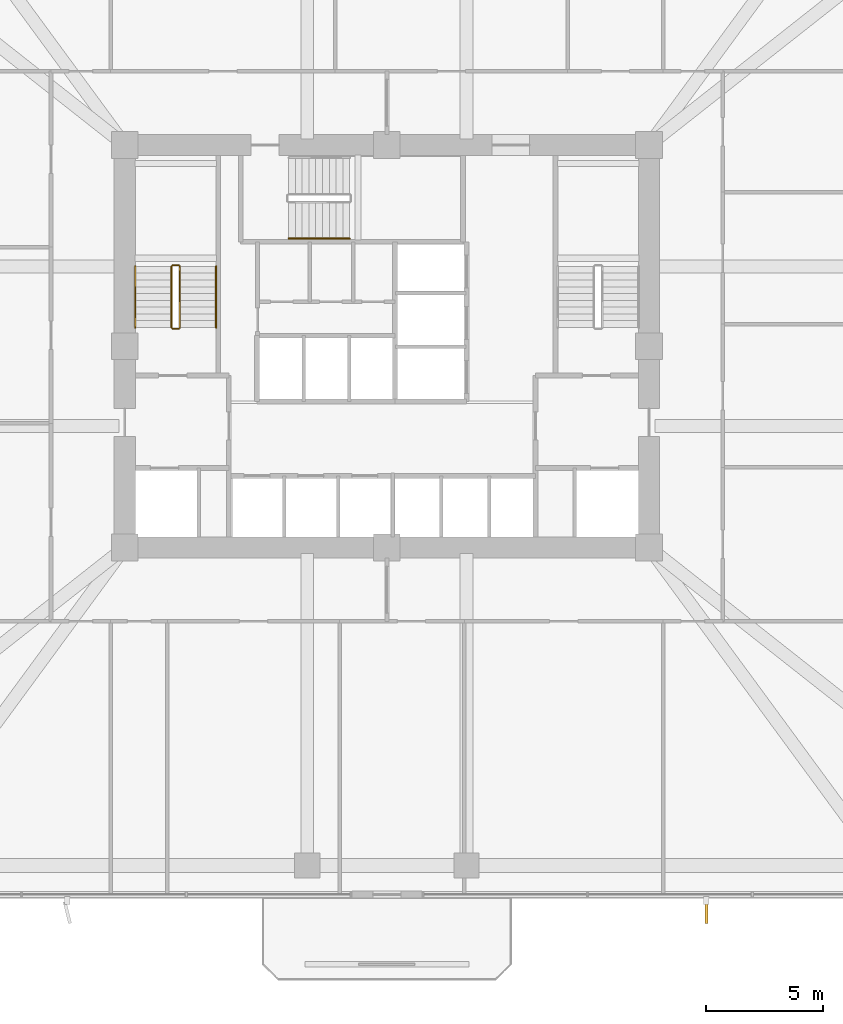
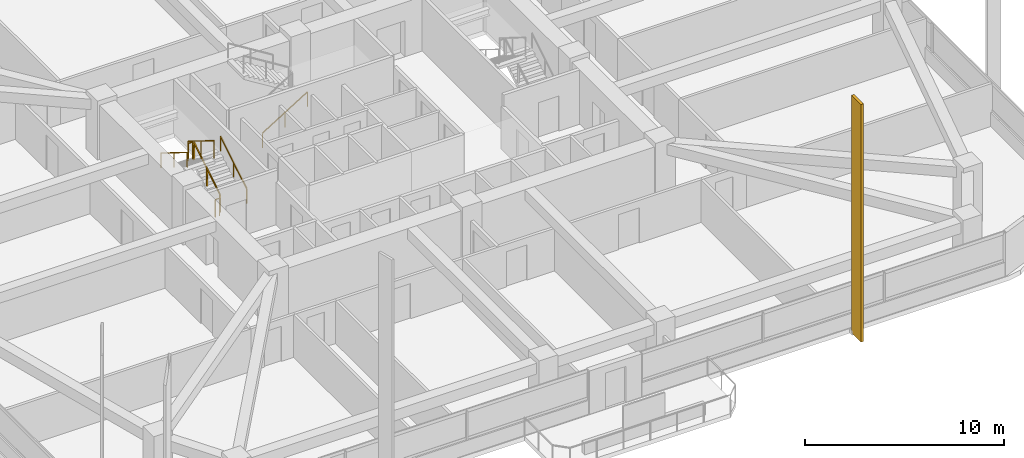
# One storey, part 14 of 17: 7 railings, 1 shading device.
"""IFC4 building model written with IfcOpenShell, lengths in metres."""

from ifc_helpers import new_model, si_unit, derived_unit, direction, frame, origin, origin_2d, place, context, subcontext, project, spatial, rectangle, extrude, material, type_object, element, save


model = new_model("IFC4")

# Units and contexts
model_context = context("Model", 3, precision=1e-05, world=origin(), true_north=direction((0.0, 1.0)))
body_context = subcontext(model_context, "Body", "Model", "MODEL_VIEW")
ifc_project = project(units=[si_unit("LENGTHUNIT", "METRE"), si_unit("AREAUNIT", "SQUARE_METRE"), si_unit("VOLUMEUNIT", "CUBIC_METRE"), si_unit("PLANEANGLEUNIT", "RADIAN"), si_unit("MASSUNIT", "GRAM", prefix="KILO"), derived_unit("THERMALTRANSMITTANCEUNIT", [(si_unit("POWERUNIT", "WATT"), 1), (si_unit("LENGTHUNIT", "METRE"), -2), (si_unit("THERMODYNAMICTEMPERATUREUNIT", "KELVIN"), -1)])], contexts=[model_context])

# Site, building, storey
site_placement = place(None, origin())
site = spatial("IfcSite", under=ifc_project, at=site_placement, CompositionType="ELEMENT")
building_placement = place(site_placement, origin())
building = spatial("IfcBuilding", under=site, at=building_placement, Name="Koralith Skygarden Medical Center", CompositionType="ELEMENT")
storey_placement = place(building_placement, frame((0.0, 0.0, 23.93994140625)))
storey = spatial("IfcBuildingStorey", under=building, at=storey_placement, Name="L05", CompositionType="ELEMENT", Elevation=23.93994140625)

# Shading device
ifc_material_1 = material(Name="Aluminium 6063-T6", Category="aluminium")
shading_device_type = type_object("IfcShadingDeviceType", Name="Limestone-Clad Solar Storm Fin 950", PredefinedType="USERDEFINED", material=ifc_material_1)
shading_device_placement = place(storey_placement, frame((50.64990234375, 1.705078125, -0.2001953125), z_axis=(0.0, 0.0, 1.0), x_axis=(0.000383972426, -0.999999926283, 0.0)))
element("IfcShadingDevice", 1, at=shading_device_placement, inside=storey, type_object=shading_device_type, Name="L05 S Harmonic Solar Storm Fin 2", ObjectType="SOLAR FIN", PredefinedType="USERDEFINED", context=body_context, shape_type="SweptSolid", body=[
    extrude(rectangle(XDim=0.949951171875, YDim=0.139892578125, at=origin_2d()), origin(), (0.0, 0.0, 1.0), 14.550048828125),
])

# Railings
ifc_material_2 = material(Name="Steel ASTM A500 Grade C", Category="steel")
railing_type_1 = type_object("IfcRailingType", Name="Stair Flight Tubular Handrail 920", PredefinedType="HANDRAIL", material=ifc_material_2)
railing_1_placement = place(storey_placement, frame((29.699951171875, 26.699951171875, 0.18017578125)))
element("IfcRailing", 2, at=railing_1_placement, inside=storey, type_object=railing_type_1, Name="L05 ST1 stair handrail 1", PredefinedType="HANDRAIL", context=body_context, shape_type="SweptSolid", body=[
    extrude(rectangle(XDim=0.050048828125, YDim=0.050048828125, at=origin_2d()), frame((0.0, 0.001708984375, 0.89599609375), z_axis=(0.0, 0.849668407637, 0.527317358963), x_axis=(-1.0, 0.0, 0.0)), (0.0, 0.0, 1.0), 3.06787109375),
    extrude(rectangle(XDim=0.0419921875, YDim=0.0419921875, at=origin_2d()), origin(), (0.0, 0.0, 1.0), 0.867919921875),
    extrude(rectangle(XDim=0.0419921875, YDim=0.0419921875, at=origin_2d()), frame((0.0, 1.30517578125, 0.81005859375)), (0.0, 0.0, 1.0), 0.867919921875),
    extrude(rectangle(XDim=0.0419921875, YDim=0.0419921875, at=origin_2d()), frame((0.0, 2.610107421875, 1.619873046875)), (0.0, 0.0, 1.0), 0.867919921875),
])
railing_2_placement = place(storey_placement, frame((26.25, 29.31005859375, 1.97998046875)))
element("IfcRailing", 3, at=railing_2_placement, inside=storey, type_object=railing_type_1, Name="L05 ST1 stair handrail 2", PredefinedType="HANDRAIL", context=body_context, shape_type="SweptSolid", body=[
    extrude(rectangle(XDim=0.050048828125, YDim=0.050048828125, at=origin_2d()), frame((0.0, -0.001708984375, 0.89599609375), z_axis=(0.0, -0.849632798774, 0.527374731332), x_axis=(1.0, 0.0, 0.0)), (0.0, 0.0, 1.0), 3.068115234375),
    extrude(rectangle(XDim=0.0419921875, YDim=0.0419921875, at=origin_2d()), origin(), (0.0, 0.0, 1.0), 0.867919921875),
    extrude(rectangle(XDim=0.0419921875, YDim=0.0419921875, at=origin_2d()), frame((0.0, -1.30517578125, 0.81005859375)), (0.0, 0.0, 1.0), 0.867919921875),
    extrude(rectangle(XDim=0.0419921875, YDim=0.0419921875, at=origin_2d()), frame((0.0, -2.610107421875, 1.6201171875)), (0.0, 0.0, 1.0), 0.867919921875),
])
railing_3_placement = place(storey_placement, frame((32.800048828125, 30.5, 0.18017578125)))
element("IfcRailing", 4, at=railing_3_placement, inside=storey, type_object=railing_type_1, Name="L05 ST3 stair handrail 1", PredefinedType="HANDRAIL", context=body_context, shape_type="SweptSolid", body=[
    extrude(rectangle(XDim=0.050048828125, YDim=0.050048828125, at=origin_2d()), frame((0.001708984375, 0.0, 0.89599609375), z_axis=(0.849646306263, 0.0, 0.527352969322), x_axis=(0.0, 1.0, 0.0)), (0.0, 0.0, 1.0), 3.067626953125),
    extrude(rectangle(XDim=0.0419921875, YDim=0.0419921875, at=origin_2d()), origin(), (0.0, 0.0, 1.0), 0.867919921875),
    extrude(rectangle(XDim=0.0419921875, YDim=0.0419921875, at=origin_2d()), frame((1.304931640625, 0.0, 0.81005859375)), (0.0, 0.0, 1.0), 0.867919921875),
    extrude(rectangle(XDim=0.0419921875, YDim=0.0419921875, at=origin_2d()), frame((2.60986328125, 0.0, 1.619873046875)), (0.0, 0.0, 1.0), 0.867919921875),
])
railing_type_2 = type_object("IfcRailingType", Name="Stair Well Safety Guardrail 1100", PredefinedType="GUARDRAIL", material=ifc_material_2)
railing_4_placement = place(storey_placement, frame((28.14990234375, 26.699951171875, 0.18017578125)))
element("IfcRailing", 5, at=railing_4_placement, inside=storey, type_object=railing_type_2, Name="L05 ST1 stair guard 1", PredefinedType="GUARDRAIL", context=body_context, shape_type="SweptSolid", body=[
    extrude(rectangle(XDim=0.050048828125, YDim=0.050048828125, at=origin_2d()), frame((0.0, 0.001708984375, 1.076171875), z_axis=(0.0, 0.849668407637, 0.527317358963), x_axis=(-1.0, 0.0, 0.0)), (0.0, 0.0, 1.0), 3.06787109375),
    extrude(rectangle(XDim=0.0419921875, YDim=0.0419921875, at=origin_2d()), origin(), (0.0, 0.0, 1.0), 1.048095703125),
    extrude(rectangle(XDim=0.0419921875, YDim=0.0419921875, at=origin_2d()), frame((0.0, 1.30517578125, 0.81005859375)), (0.0, 0.0, 1.0), 1.048095703125),
    extrude(rectangle(XDim=0.0419921875, YDim=0.0419921875, at=origin_2d()), frame((0.0, 2.610107421875, 1.619873046875)), (0.0, 0.0, 1.0), 1.048095703125),
])
railing_5_placement = place(storey_placement, frame((28.10009765625, 29.360107421875, 1.800048828125)))
element("IfcRailing", 6, at=railing_5_placement, inside=storey, type_object=railing_type_2, Name="L05 ST1 stair guard 2", PredefinedType="GUARDRAIL", context=body_context, shape_type="SweptSolid", body=[
    extrude(rectangle(XDim=0.050048828125, YDim=0.050048828125, at=origin_2d()), frame((-0.001953125, 0.0, 1.0751953125), z_axis=(-1.0, 0.0, 0.0), x_axis=(0.0, -1.0, 0.0)), (0.0, 0.0, 1.0), 0.24609375),
    extrude(rectangle(XDim=0.0419921875, YDim=0.0419921875, at=origin_2d()), origin(), (0.0, 0.0, 1.0), 1.048095703125),
    extrude(rectangle(XDim=0.0419921875, YDim=0.0419921875, at=origin_2d()), frame((-0.25, 0.0, 0.0)), (0.0, 0.0, 1.0), 1.048095703125),
])
railing_6_placement = place(storey_placement, frame((27.800048828125, 29.31005859375, 1.97998046875)))
element("IfcRailing", 7, at=railing_6_placement, inside=storey, type_object=railing_type_2, Name="L05 ST1 stair guard 3", PredefinedType="GUARDRAIL", context=body_context, shape_type="SweptSolid", body=[
    extrude(rectangle(XDim=0.050048828125, YDim=0.050048828125, at=origin_2d()), frame((0.0, -0.001708984375, 1.076171875), z_axis=(0.0, -0.849632798774, 0.527374731332), x_axis=(1.0, 0.0, 0.0)), (0.0, 0.0, 1.0), 3.068115234375),
    extrude(rectangle(XDim=0.0419921875, YDim=0.0419921875, at=origin_2d()), origin(), (0.0, 0.0, 1.0), 1.048095703125),
    extrude(rectangle(XDim=0.0419921875, YDim=0.0419921875, at=origin_2d()), frame((0.0, -1.30517578125, 0.81005859375)), (0.0, 0.0, 1.0), 1.048095703125),
    extrude(rectangle(XDim=0.0419921875, YDim=0.0419921875, at=origin_2d()), frame((0.0, -2.610107421875, 1.6201171875)), (0.0, 0.0, 1.0), 1.048095703125),
])
railing_7_placement = place(storey_placement, frame((28.10009765625, 26.64990234375, 0.0)))
element("IfcRailing", 8, at=railing_7_placement, inside=storey, type_object=railing_type_2, Name="L05 ST1 stair guard 4", PredefinedType="GUARDRAIL", context=body_context, shape_type="SweptSolid", body=[
    extrude(rectangle(XDim=0.050048828125, YDim=0.050048828125, at=origin_2d()), frame((-0.001953125, 0.0, 1.0751953125), z_axis=(-1.0, 0.0, 0.0), x_axis=(0.0, -1.0, 0.0)), (0.0, 0.0, 1.0), 0.24609375),
    extrude(rectangle(XDim=0.0419921875, YDim=0.0419921875, at=origin_2d()), origin(), (0.0, 0.0, 1.0), 1.048095703125),
    extrude(rectangle(XDim=0.0419921875, YDim=0.0419921875, at=origin_2d()), frame((-0.25, 0.0, 0.0)), (0.0, 0.0, 1.0), 1.048095703125),
])

save(model, "model.ifc")
